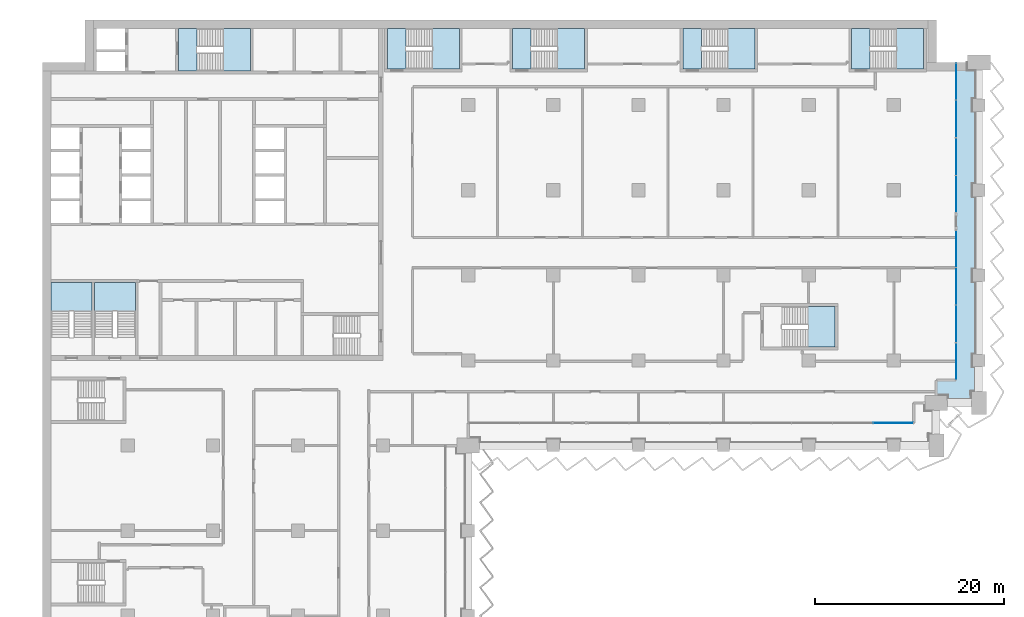
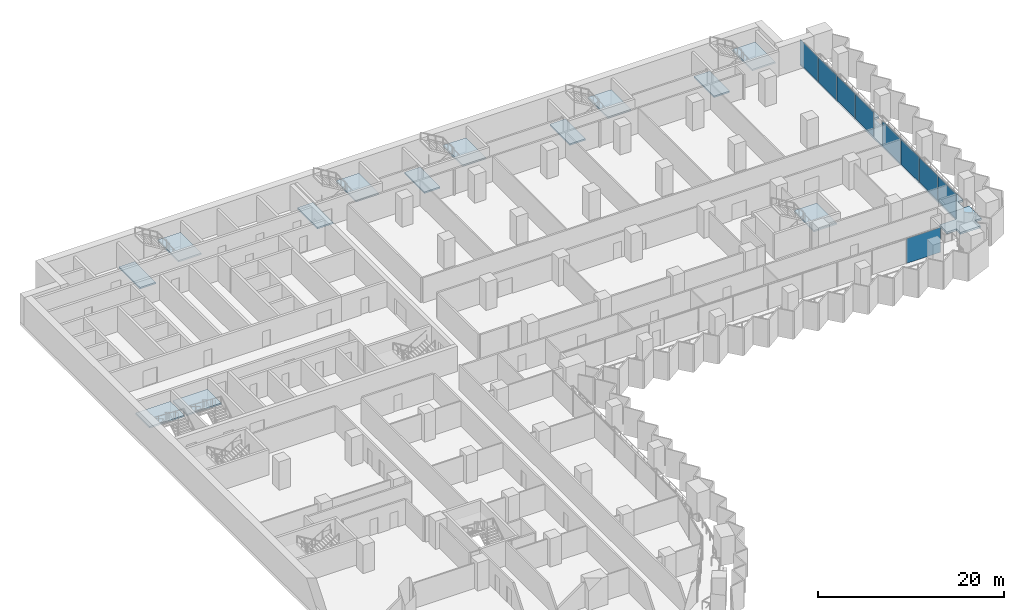
# One storey, part 9 of 29: 14 slabs, 9 plates, 11 elements without a shape of their own.
"""IFC4 building model written with IfcOpenShell, lengths in metres."""

from ifc_helpers import new_model, si_unit, direction, frame, origin, origin_2d, place, context, subcontext, project, spatial, polyline, rectangle, outline, extrude, material, layer, layer_set, type_object, element, aggregate, save


model = new_model("IFC4")

# Units and contexts
model_context = context("Model", 3, precision=1e-05, world=origin(), true_north=direction((0.0, 1.0)))
body_context = subcontext(model_context, "Body", "Model", "MODEL_VIEW")
ifc_project = project(units=[si_unit("LENGTHUNIT", "METRE"), si_unit("AREAUNIT", "SQUARE_METRE"), si_unit("VOLUMEUNIT", "CUBIC_METRE"), si_unit("PLANEANGLEUNIT", "RADIAN"), si_unit("MASSUNIT", "GRAM", prefix="KILO")], contexts=[model_context])

# Site, building, storey
site_placement = place(None, origin())
site = spatial("IfcSite", under=ifc_project, at=site_placement, CompositionType="ELEMENT")
building_placement = place(site_placement, origin())
building = spatial("IfcBuilding", under=site, at=building_placement, Name="Hunhe Ridgeline Campus", CompositionType="ELEMENT")
storey_placement = place(building_placement, frame((0.0, 0.0, 54.300048828125)))
storey = spatial("IfcBuildingStorey", under=building, at=storey_placement, Name="L12", CompositionType="ELEMENT", Elevation=54.300048828125)

# Curtain wall, plate
ifc_material_1 = material(Name="Aluminium 6063", Category="aluminium")
curtain_wall_type = type_object("IfcCurtainWallType", Name="Curtain wall CW-1", PredefinedType="NOTDEFINED", material=ifc_material_1)
curtain_wall_1_placement = place(storey_placement, origin())
curtain_wall_1 = element("IfcCurtainWall", 1, at=curtain_wall_1_placement, inside=storey, type_object=curtain_wall_type, Name="Curtain wall 13", PredefinedType="NOTDEFINED")
ifc_material_2 = material(Name="Low-e laminated glass", Category="glass")
ifc_layer_1 = layer(ifc_material_2, 0.028076171875)
ifc_layer_set_1 = layer_set([ifc_layer_1], Name="Curtain wall glass panel 28 low-e laminated")
plate_type = type_object("IfcPlateType", Name="Curtain wall glass panel 28 low-e laminated", PredefinedType="CURTAIN_PANEL", material=ifc_layer_set_1)
plate_1_placement = place(storey_placement, frame((89.932373046875, 56.40087890625, 0.0), z_axis=(0.0, 0.0, 1.0), x_axis=(0.999999999994, 3.602063e-06, 0.0)))
plate_1 = element("IfcPlate", 2, at=plate_1_placement, type_object=plate_type, Name="CW-1 panel 8", PredefinedType="CURTAIN_PANEL", context=body_context, shape_type="SweptSolid", body=[
    extrude(rectangle(XDim=4.213134765625, YDim=0.028076171875, at=origin_2d()), origin(), (0.0, 0.0, 1.0), 3.239990234375),
])
aggregate(curtain_wall_1, [plate_1])

# Curtain wall, plates
curtain_wall_2_placement = place(storey_placement, origin())
curtain_wall_2 = element("IfcCurtainWall", 3, at=curtain_wall_2_placement, inside=storey, type_object=curtain_wall_type, Name="Curtain wall 14", PredefinedType="NOTDEFINED")
plate_2_placement = place(storey_placement, frame((96.59912109375, 62.9033203125, 0.0), z_axis=(0.0, 0.0, 1.0), x_axis=(0.0, 1.0, 0.0)))
plate_2 = element("IfcPlate", 4, at=plate_2_placement, type_object=plate_type, Name="CW-1 panel 1", PredefinedType="CURTAIN_PANEL", context=body_context, shape_type="SweptSolid", body=[
    extrude(rectangle(XDim=3.884765625, YDim=0.028076171875, at=origin_2d()), origin(), (0.0, 0.0, 1.0), 3.239990234375),
])
plate_3_placement = place(storey_placement, frame((96.59912109375, 66.86328125, 0.0), z_axis=(0.0, 0.0, 1.0), x_axis=(0.0, 1.0, 0.0)))
plate_3 = element("IfcPlate", 5, at=plate_3_placement, type_object=plate_type, Name="CW-1 panel 2", PredefinedType="CURTAIN_PANEL", context=body_context, shape_type="SweptSolid", body=[
    extrude(rectangle(XDim=3.914794921875, YDim=0.028076171875, at=origin_2d()), origin(), (0.0, 0.0, 1.0), 3.239990234375),
])
plate_4_placement = place(storey_placement, frame((96.59912109375, 70.838134765625, 0.0), z_axis=(0.0, 0.0, 1.0), x_axis=(0.0, 1.0, 0.0)))
plate_4 = element("IfcPlate", 6, at=plate_4_placement, type_object=plate_type, Name="CW-1 panel 3", PredefinedType="CURTAIN_PANEL", context=body_context, shape_type="SweptSolid", body=[
    extrude(rectangle(XDim=3.914794921875, YDim=0.028076171875, at=origin_2d()), origin(), (0.0, 0.0, 1.0), 3.239990234375),
])
plate_5_placement = place(storey_placement, frame((96.59912109375, 74.798095703125, 0.0), z_axis=(0.0, 0.0, 1.0), x_axis=(0.0, 1.0, 0.0)))
plate_5 = element("IfcPlate", 7, at=plate_5_placement, type_object=plate_type, Name="CW-1 panel 4", PredefinedType="CURTAIN_PANEL", context=body_context, shape_type="SweptSolid", body=[
    extrude(rectangle(XDim=3.884765625, YDim=0.028076171875, at=origin_2d()), origin(), (0.0, 0.0, 1.0), 3.239990234375),
])
aggregate(curtain_wall_2, [plate_2, plate_3, plate_4, plate_5])

curtain_wall_3_placement = place(storey_placement, origin())
curtain_wall_3 = element("IfcCurtainWall", 8, at=curtain_wall_3_placement, inside=storey, type_object=curtain_wall_type, Name="Curtain wall 15", PredefinedType="NOTDEFINED")
plate_6_placement = place(storey_placement, frame((96.59912109375, 80.60302734375, 0.0), z_axis=(0.0, 0.0, 1.0), x_axis=(0.0, 1.0, 0.0)))
plate_6 = element("IfcPlate", 9, at=plate_6_placement, type_object=plate_type, Name="CW-1 panel 1", PredefinedType="CURTAIN_PANEL", context=body_context, shape_type="SweptSolid", body=[
    extrude(rectangle(XDim=3.884765625, YDim=0.028076171875, at=origin_2d()), origin(), (0.0, 0.0, 1.0), 3.239990234375),
])
plate_7_placement = place(storey_placement, frame((96.59912109375, 84.562744140625, 0.0), z_axis=(0.0, 0.0, 1.0), x_axis=(0.0, 1.0, 0.0)))
plate_7 = element("IfcPlate", 10, at=plate_7_placement, type_object=plate_type, Name="CW-1 panel 2", PredefinedType="CURTAIN_PANEL", context=body_context, shape_type="SweptSolid", body=[
    extrude(rectangle(XDim=3.914794921875, YDim=0.028076171875, at=origin_2d()), origin(), (0.0, 0.0, 1.0), 3.239990234375),
])
plate_8_placement = place(storey_placement, frame((96.59912109375, 88.53759765625, 0.0), z_axis=(0.0, 0.0, 1.0), x_axis=(0.0, 1.0, 0.0)))
plate_8 = element("IfcPlate", 11, at=plate_8_placement, type_object=plate_type, Name="CW-1 panel 3", PredefinedType="CURTAIN_PANEL", context=body_context, shape_type="SweptSolid", body=[
    extrude(rectangle(XDim=3.914794921875, YDim=0.028076171875, at=origin_2d()), origin(), (0.0, 0.0, 1.0), 3.239990234375),
])
plate_9_placement = place(storey_placement, frame((96.59912109375, 92.49755859375, 0.0), z_axis=(0.0, 0.0, 1.0), x_axis=(0.0, 1.0, 0.0)))
plate_9 = element("IfcPlate", 12, at=plate_9_placement, type_object=plate_type, Name="CW-1 panel 4", PredefinedType="CURTAIN_PANEL", context=body_context, shape_type="SweptSolid", body=[
    extrude(rectangle(XDim=3.884765625, YDim=0.028076171875, at=origin_2d()), origin(), (0.0, 0.0, 1.0), 3.239990234375),
])
aggregate(curtain_wall_3, [plate_6, plate_7, plate_8, plate_9])

# Slab
ifc_material_3 = material(Name="Concrete C40", Category="concrete")
ifc_layer_2 = layer(ifc_material_3, 0.25)
ifc_layer_set_2 = layer_set([ifc_layer_2], Name="Loggia slab 250 Concrete C40")
slab_type_1 = type_object("IfcSlabType", Name="Loggia slab 250 Concrete C40", PredefinedType="FLOOR", material=ifc_layer_set_2)
slab_1_placement = place(storey_placement, frame((0.0, 0.0, -0.25)))
element("IfcSlab", 13, at=slab_1_placement, inside=storey, type_object=slab_type_1, Name="Loggia slab 3", PredefinedType="FLOOR", context=body_context, shape_type="SweptSolid", body=[
    extrude(outline(polyline([(94.5, 59.300048828125), (95.699951171875, 59.300048828125), (95.699951171875, 58.5), (98.199951171875, 58.5), (98.199951171875, 59.699951171875), (99.0, 59.699951171875), (99.0, 62.35009765625), (98.35009765625, 62.35009765625), (98.35009765625, 63.64990234375), (99.0, 63.64990234375), (99.0, 71.35009765625), (98.35009765625, 71.35009765625), (98.35009765625, 72.64990234375), (99.0, 72.64990234375), (99.0, 80.35009765625), (98.35009765625, 80.35009765625), (98.35009765625, 81.64990234375), (99.0, 81.64990234375), (99.0, 89.35009765625), (98.35009765625, 89.35009765625), (98.35009765625, 90.64990234375), (99.0, 90.64990234375), (99.0, 93.699951171875), (97.800048828125, 93.699951171875), (97.800048828125, 94.5), (96.60009765625, 94.5), (96.60009765625, 60.89990234375), (94.5, 60.89990234375), (94.5, 59.300048828125)])), origin(), (0.0, 0.0, 1.0), 0.25),
])

# Stair, slab
stair_type = type_object("IfcStairType", Name="Reinforced concrete dog-leg stair 1950 Concrete C40", PredefinedType="HALF_TURN_STAIR", material=ifc_material_3)
stair_1_placement = place(storey_placement, origin())
stair_1 = element("IfcStair", 14, at=stair_1_placement, inside=storey, type_object=stair_type, Name="L12 S1", PredefinedType="HALF_TURN_STAIR")
ifc_layer_3 = layer(ifc_material_3, 0.199951171875)
ifc_layer_set_3 = layer_set([ifc_layer_3], Name="Reinforced concrete stair landing 200 Concrete C40")
slab_type_2 = type_object("IfcSlabType", Name="Reinforced concrete stair landing 200 Concrete C40", PredefinedType="LANDING", material=ifc_layer_set_3)
slab_2_placement = place(storey_placement, frame((0.0, 0.0, 1.64990234375)))
slab_2 = element("IfcSlab", 15, at=slab_2_placement, type_object=slab_type_2, Name="ST1 landing 1", PredefinedType="LANDING", context=body_context, shape_type="SweptSolid", body=[
    extrude(outline(polyline([(19.10009765625, 93.60009765625), (21.949951171875, 93.60009765625), (21.949951171875, 98.10009765625), (19.10009765625, 98.10009765625), (19.10009765625, 93.60009765625)])), origin(), (0.0, 0.0, 1.0), 0.199951171875),
])
aggregate(stair_1, [slab_2])

# Slab
slab_3_placement = place(storey_placement, frame((0.0, 0.0, -0.199951171875)))
element("IfcSlab", 16, at=slab_3_placement, inside=storey, type_object=slab_type_2, Name="L12 stair S1 floor landing", PredefinedType="LANDING", context=body_context, shape_type="SweptSolid", body=[
    extrude(outline(polyline([(14.35009765625, 93.60009765625), (16.300048828125, 93.60009765625), (16.300048828125, 98.10009765625), (14.35009765625, 98.10009765625), (14.35009765625, 93.60009765625)])), origin(), (0.0, 0.0, 1.0), 0.199951171875),
])

# Stair, slab
stair_2_placement = place(storey_placement, origin())
stair_2 = element("IfcStair", 17, at=stair_2_placement, inside=storey, type_object=stair_type, Name="L12 S3", PredefinedType="HALF_TURN_STAIR")
slab_4_placement = place(storey_placement, frame((0.0, 0.0, 1.64990234375)))
slab_4 = element("IfcSlab", 18, at=slab_4_placement, type_object=slab_type_2, Name="ST3 landing 1", PredefinedType="LANDING", context=body_context, shape_type="SweptSolid", body=[
    extrude(outline(polyline([(5.199951171875, 68.25), (5.199951171875, 71.25), (0.89990234375, 71.25), (0.89990234375, 68.25), (5.199951171875, 68.25)])), origin(), (0.0, 0.0, 1.0), 0.199951171875),
])
aggregate(stair_2, [slab_4])

stair_3_placement = place(storey_placement, origin())
stair_3 = element("IfcStair", 19, at=stair_3_placement, inside=storey, type_object=stair_type, Name="L12 S4", PredefinedType="HALF_TURN_STAIR")
slab_5_placement = place(storey_placement, frame((0.0, 0.0, 1.64990234375)))
slab_5 = element("IfcSlab", 20, at=slab_5_placement, type_object=slab_type_2, Name="ST4 landing 1", PredefinedType="LANDING", context=body_context, shape_type="SweptSolid", body=[
    extrude(outline(polyline([(9.800048828125, 68.25), (9.800048828125, 71.25), (5.5, 71.25), (5.5, 68.25), (9.800048828125, 68.25)])), origin(), (0.0, 0.0, 1.0), 0.199951171875),
])
aggregate(stair_3, [slab_5])

stair_4_placement = place(storey_placement, origin())
stair_4 = element("IfcStair", 21, at=stair_4_placement, inside=storey, type_object=stair_type, Name="L12 E1", PredefinedType="HALF_TURN_STAIR")
slab_6_placement = place(storey_placement, frame((0.0, 0.0, 1.64990234375)))
slab_6 = element("IfcSlab", 22, at=slab_6_placement, type_object=slab_type_2, Name="ST5 landing 1", PredefinedType="LANDING", context=body_context, shape_type="SweptSolid", body=[
    extrude(outline(polyline([(41.199951171875, 93.800048828125), (44.050048828125, 93.800048828125), (44.050048828125, 98.10009765625), (41.199951171875, 98.10009765625), (41.199951171875, 93.800048828125)])), origin(), (0.0, 0.0, 1.0), 0.199951171875),
])
aggregate(stair_4, [slab_6])

# Slab
slab_7_placement = place(storey_placement, frame((0.0, 0.0, -0.199951171875)))
element("IfcSlab", 23, at=slab_7_placement, inside=storey, type_object=slab_type_2, Name="L12 stair E1 floor landing", PredefinedType="LANDING", context=body_context, shape_type="SweptSolid", body=[
    extrude(outline(polyline([(36.449951171875, 93.800048828125), (38.39990234375, 93.800048828125), (38.39990234375, 98.10009765625), (36.449951171875, 98.10009765625), (36.449951171875, 93.800048828125)])), origin(), (0.0, 0.0, 1.0), 0.199951171875),
])

# Stair, slab
stair_5_placement = place(storey_placement, origin())
stair_5 = element("IfcStair", 24, at=stair_5_placement, inside=storey, type_object=stair_type, Name="L12 E2", PredefinedType="HALF_TURN_STAIR")
slab_8_placement = place(storey_placement, frame((0.0, 0.0, 1.64990234375)))
slab_8 = element("IfcSlab", 25, at=slab_8_placement, type_object=slab_type_2, Name="ST6 landing 1", PredefinedType="LANDING", context=body_context, shape_type="SweptSolid", body=[
    extrude(outline(polyline([(54.449951171875, 93.800048828125), (57.300048828125, 93.800048828125), (57.300048828125, 98.10009765625), (54.449951171875, 98.10009765625), (54.449951171875, 93.800048828125)])), origin(), (0.0, 0.0, 1.0), 0.199951171875),
])
aggregate(stair_5, [slab_8])

# Slab
slab_9_placement = place(storey_placement, frame((0.0, 0.0, -0.199951171875)))
element("IfcSlab", 26, at=slab_9_placement, inside=storey, type_object=slab_type_2, Name="L12 stair E2 floor landing", PredefinedType="LANDING", context=body_context, shape_type="SweptSolid", body=[
    extrude(outline(polyline([(49.699951171875, 93.800048828125), (51.64990234375, 93.800048828125), (51.64990234375, 98.10009765625), (49.699951171875, 98.10009765625), (49.699951171875, 93.800048828125)])), origin(), (0.0, 0.0, 1.0), 0.199951171875),
])

# Stair, slab
stair_6_placement = place(storey_placement, origin())
stair_6 = element("IfcStair", 27, at=stair_6_placement, inside=storey, type_object=stair_type, Name="L12 E3", PredefinedType="HALF_TURN_STAIR")
slab_10_placement = place(storey_placement, frame((0.0, 0.0, 1.64990234375)))
slab_10 = element("IfcSlab", 28, at=slab_10_placement, type_object=slab_type_2, Name="ST7 landing 1", PredefinedType="LANDING", context=body_context, shape_type="SweptSolid", body=[
    extrude(outline(polyline([(72.449951171875, 93.800048828125), (75.300048828125, 93.800048828125), (75.300048828125, 98.10009765625), (72.449951171875, 98.10009765625), (72.449951171875, 93.800048828125)])), origin(), (0.0, 0.0, 1.0), 0.199951171875),
])
aggregate(stair_6, [slab_10])

# Slab
slab_11_placement = place(storey_placement, frame((0.0, 0.0, -0.199951171875)))
element("IfcSlab", 29, at=slab_11_placement, inside=storey, type_object=slab_type_2, Name="L12 stair E3 floor landing", PredefinedType="LANDING", context=body_context, shape_type="SweptSolid", body=[
    extrude(outline(polyline([(67.699951171875, 93.800048828125), (69.64990234375, 93.800048828125), (69.64990234375, 98.10009765625), (67.699951171875, 98.10009765625), (67.699951171875, 93.800048828125)])), origin(), (0.0, 0.0, 1.0), 0.199951171875),
])

# Stair, slab
stair_7_placement = place(storey_placement, origin())
stair_7 = element("IfcStair", 30, at=stair_7_placement, inside=storey, type_object=stair_type, Name="L12 E4", PredefinedType="HALF_TURN_STAIR")
slab_12_placement = place(storey_placement, frame((0.0, 0.0, 1.64990234375)))
slab_12 = element("IfcSlab", 31, at=slab_12_placement, type_object=slab_type_2, Name="ST8 landing 1", PredefinedType="LANDING", context=body_context, shape_type="SweptSolid", body=[
    extrude(outline(polyline([(90.300048828125, 93.800048828125), (93.14990234375, 93.800048828125), (93.14990234375, 98.10009765625), (90.300048828125, 98.10009765625), (90.300048828125, 93.800048828125)])), origin(), (0.0, 0.0, 1.0), 0.199951171875),
])
aggregate(stair_7, [slab_12])

# Slab
slab_13_placement = place(storey_placement, frame((0.0, 0.0, -0.199951171875)))
element("IfcSlab", 32, at=slab_13_placement, inside=storey, type_object=slab_type_2, Name="L12 stair E4 floor landing", PredefinedType="LANDING", context=body_context, shape_type="SweptSolid", body=[
    extrude(outline(polyline([(85.550048828125, 93.800048828125), (87.5, 93.800048828125), (87.5, 98.10009765625), (85.550048828125, 98.10009765625), (85.550048828125, 93.800048828125)])), origin(), (0.0, 0.0, 1.0), 0.199951171875),
])

# Stair, slab
stair_8_placement = place(storey_placement, origin())
stair_8 = element("IfcStair", 33, at=stair_8_placement, inside=storey, type_object=stair_type, Name="L12 E5", PredefinedType="HALF_TURN_STAIR")
slab_14_placement = place(storey_placement, frame((0.0, 0.0, 1.64990234375)))
slab_14 = element("IfcSlab", 34, at=slab_14_placement, type_object=slab_type_2, Name="ST10 landing 1", PredefinedType="LANDING", context=body_context, shape_type="SweptSolid", body=[
    extrude(outline(polyline([(80.949951171875, 64.39990234375), (83.800048828125, 64.39990234375), (83.800048828125, 68.699951171875), (80.949951171875, 68.699951171875), (80.949951171875, 64.39990234375)])), origin(), (0.0, 0.0, 1.0), 0.199951171875),
])
aggregate(stair_8, [slab_14])

save(model, "model.ifc")
